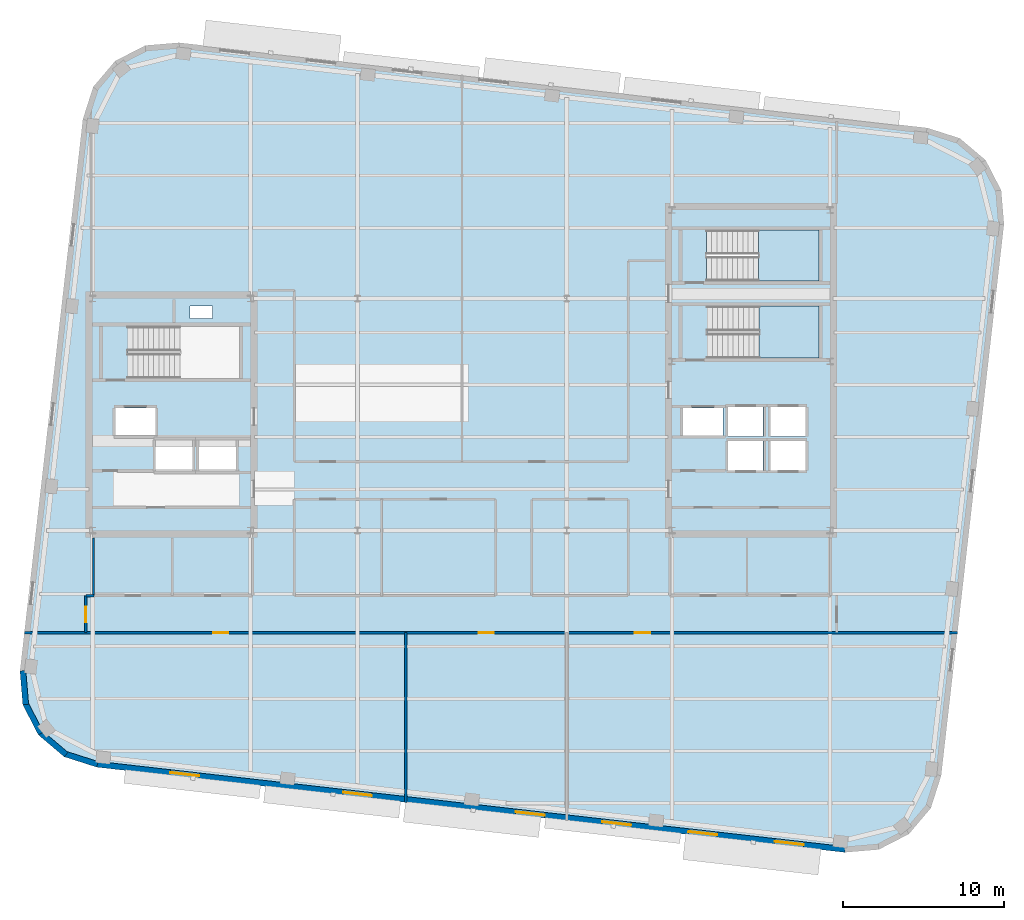
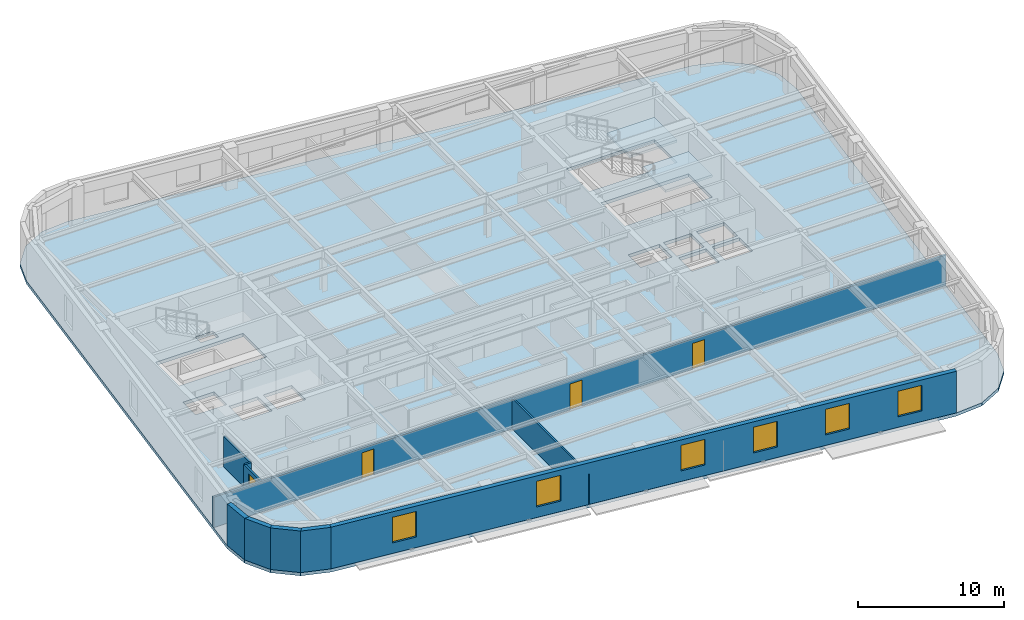
# One storey, part 5 of 13: 10 walls, 6 windows, 4 doors, 3 slabs, 10 openings, 2 elements without a shape of their own.
"""IFC4 building model written with IfcOpenShell, lengths in metres."""

from ifc_helpers import new_model, si_unit, direction, frame, frame_2d, origin, place, context, subcontext, project, spatial, polyline, rectangle, outline, extrude, material, layer, layer_set, type_object, element, fill, aggregate, save


model = new_model("IFC4")

# Units and contexts
model_context = context("Model", 3, precision=1e-05, world=origin(), true_north=direction((0.0, 1.0)))
body_context = subcontext(model_context, "Body", "Model", "MODEL_VIEW")
ifc_project = project(units=[si_unit("LENGTHUNIT", "METRE"), si_unit("AREAUNIT", "SQUARE_METRE"), si_unit("VOLUMEUNIT", "CUBIC_METRE"), si_unit("PLANEANGLEUNIT", "RADIAN"), si_unit("MASSUNIT", "GRAM", prefix="KILO")], contexts=[model_context])

# Site, building, storey
site_placement = place(None, origin())
site = spatial("IfcSite", under=ifc_project, at=site_placement, CompositionType="ELEMENT")
building_placement = place(site_placement, origin())
building = spatial("IfcBuilding", under=site, at=building_placement, Name="Kolvaren Arena Tower", CompositionType="ELEMENT")
storey_placement = place(building_placement, frame((0.0, 0.0, 262.199951171875)))
storey = spatial("IfcBuildingStorey", under=building, at=storey_placement, Name="L64", CompositionType="ELEMENT", Elevation=262.199951171875)

# Stair, slab
ifc_material_1 = material(Name="Concrete 45 MPa", Category="concrete")
stair_type_1 = type_object("IfcStairType", Name="STAIR-CORE-165", PredefinedType="HALF_TURN_STAIR", material=ifc_material_1)
stair_1_placement = place(storey_placement, origin())
stair_1 = element("IfcStair", 1, at=stair_1_placement, inside=storey, type_object=stair_type_1, Name="L64 ST-E1", PredefinedType="HALF_TURN_STAIR")
ifc_layer_1 = layer(ifc_material_1, 0.199951171875)
ifc_layer_set_1 = layer_set([ifc_layer_1], Name="Concrete 45 MPa")
slab_type_1 = type_object("IfcSlabType", Name="SLAB-LAND", PredefinedType="LANDING", material=ifc_layer_set_1)
slab_1_placement = place(storey_placement, frame((0.0, 0.0, 1.675048828125)))
slab_1 = element("IfcSlab", 2, at=slab_1_placement, type_object=slab_type_1, Name="ST-E1 landing 1", PredefinedType="LANDING", context=body_context, shape_type="SweptSolid", body=[
    extrude(outline(polyline([(55.9599609375, 30.14990234375), (59.659912109375, 30.14990234375), (59.659912109375, 33.3798828125), (55.9599609375, 33.3798828125), (55.9599609375, 30.14990234375)])), origin(), (0.0, 0.0, 1.0), 0.199951171875),
])
aggregate(stair_1, [slab_1])

stair_type_2 = type_object("IfcStairType", Name="STAIR-CORE-150", PredefinedType="HALF_TURN_STAIR", material=ifc_material_1)
stair_2_placement = place(storey_placement, origin())
stair_2 = element("IfcStair", 3, at=stair_2_placement, inside=storey, type_object=stair_type_2, Name="L64 ST-E2", PredefinedType="HALF_TURN_STAIR")
slab_2_placement = place(storey_placement, frame((0.0, 0.0, 1.675048828125)))
slab_2 = element("IfcSlab", 4, at=slab_2_placement, type_object=slab_type_1, Name="ST-E2 landing 1", PredefinedType="LANDING", context=body_context, shape_type="SweptSolid", body=[
    extrude(outline(polyline([(55.919921875, 34.949951171875), (59.659912109375, 34.949951171875), (59.659912109375, 38.10009765625), (55.919921875, 38.10009765625), (55.919921875, 34.949951171875)])), origin(), (0.0, 0.0, 1.0), 0.199951171875),
])
aggregate(stair_2, [slab_2])

# Slab
ifc_layer_2 = layer(ifc_material_1, 0.27001953125)
ifc_layer_set_2 = layer_set([ifc_layer_2], Name="Concrete 45 MPa")
slab_type_2 = type_object("IfcSlabType", Name="SLAB-OFF2", PredefinedType="FLOOR", material=ifc_layer_set_2)
slab_3_placement = place(storey_placement, frame((0.0, 0.0, -0.27001953125)))
element("IfcSlab", 5, at=slab_3_placement, inside=storey, type_object=slab_type_2, Name="L64 Primary Structural Slab", PredefinedType="FLOOR", context=body_context, shape_type="SweptSolid", body=[
    extrude(outline(polyline([(61.285400390625, -0.553466796875), (63.38525390625, -0.37890625), (65.25830078125, 0.585693359375), (66.619873046875, 2.194091796875), (67.26220703125, 4.20068359375), (71.16748046875, 38.47900390625), (70.9931640625, 40.57861328125), (70.0283203125, 42.45166015625), (68.42041015625, 43.81298828125), (66.41357421875, 44.455322265625), (19.91455078125, 49.75341796875), (17.814697265625, 49.578857421875), (15.941650390625, 48.6142578125), (14.580078125, 47.006103515625), (13.93798828125, 44.99951171875), (10.032470703125, 10.72119140625), (10.206787109375, 8.621337890625), (11.171630859375, 6.748291015625), (12.77978515625, 5.386962890625), (14.786376953125, 4.74462890625), (61.285400390625, -0.553466796875)]), holes=[polyline([(20.739990234375, 23.135009765625), (18.4599609375, 23.135009765625), (18.4599609375, 25.06494140625), (20.739990234375, 25.06494140625), (20.739990234375, 23.135009765625)]), polyline([(21.159912109375, 23.135009765625), (21.159912109375, 25.06494140625), (23.43994140625, 25.06494140625), (23.43994140625, 23.135009765625), (21.159912109375, 23.135009765625)]), polyline([(56.2099609375, 23.18505859375), (54.030029296875, 23.18505859375), (54.030029296875, 25.014892578125), (56.2099609375, 25.014892578125), (56.2099609375, 23.18505859375)]), polyline([(56.669921875, 23.18505859375), (56.669921875, 25.014892578125), (58.85009765625, 25.014892578125), (58.85009765625, 23.18505859375), (56.669921875, 23.18505859375)]), polyline([(54.030029296875, 25.284912109375), (54.030029296875, 27.114990234375), (56.2099609375, 27.114990234375), (56.2099609375, 25.284912109375), (54.030029296875, 25.284912109375)]), polyline([(58.85009765625, 25.284912109375), (56.669921875, 25.284912109375), (56.669921875, 27.114990234375), (58.85009765625, 27.114990234375), (58.85009765625, 25.284912109375)]), polyline([(15.9599609375, 25.3349609375), (15.9599609375, 27.06494140625), (18.43994140625, 27.06494140625), (18.43994140625, 25.3349609375), (15.9599609375, 25.3349609375)]), polyline([(53.699951171875, 25.3349609375), (51.219970703125, 25.3349609375), (51.219970703125, 27.06494140625), (53.699951171875, 27.06494140625), (53.699951171875, 25.3349609375)]), polyline([(16.735107421875, 28.89990234375), (16.735107421875, 32.1298828125), (23.659912109375, 32.1298828125), (23.659912109375, 28.89990234375), (16.735107421875, 28.89990234375)]), polyline([(52.735107421875, 30.14990234375), (52.735107421875, 33.3798828125), (59.659912109375, 33.3798828125), (59.659912109375, 30.14990234375), (52.735107421875, 30.14990234375)]), polyline([(20.60009765625, 32.6201171875), (20.60009765625, 33.39990234375), (22.0, 33.39990234375), (22.0, 32.6201171875), (20.60009765625, 32.6201171875)]), polyline([(52.695068359375, 34.949951171875), (52.695068359375, 38.10009765625), (59.659912109375, 38.10009765625), (59.659912109375, 34.949951171875), (52.695068359375, 34.949951171875)])]), origin(), (0.0, 0.0, 1.0), 0.27001953125),
])

# Wall, openings, doors
ifc_material_2 = material(Name="Gypsum board acoustic assembly", Category="gypsum")
ifc_layer_3 = layer(ifc_material_2, 0.159912109375)
ifc_layer_set_3 = layer_set([ifc_layer_3], Name="Gypsum board acoustic assembly")
wall_type_1 = type_object("IfcWallType", Name="CORR-160", PredefinedType="PARTITIONING", material=ifc_layer_set_3)
wall_1_placement = place(storey_placement, frame((10.303466796875, 13.10009765625, 0.0), z_axis=(0.0, 0.0, 1.0), x_axis=(1.0, 0.0, 0.0)))
wall_1 = element("IfcWall", 6, at=wall_1_placement, inside=storey, type_object=wall_type_1, Name="Interior Partition Wall (L64)", PredefinedType="PARTITIONING", context=body_context, shape_type="SweptSolid", body=[
    extrude(rectangle(XDim=57.97265625, YDim=0.159912109375, at=frame_2d((28.986328125, 0.0))), origin(), (0.0, 0.0, 1.0), 2.5400390625),
])
opening_1_placement = place(wall_1_placement, frame((11.7216796875, 0.0, 0.0)))
opening_1 = element("IfcOpeningElement", 7, at=opening_1_placement, cuts=wall_1, Name="Opening D05", PredefinedType="OPENING", context=body_context, shape_type="SweptSolid", body=[
    extrude(rectangle(XDim=0.949951171875, YDim=2.14990234375, at=frame_2d((0.47509765625, 1.074951171875))), frame((0.0, 0.08984375, 0.0), z_axis=(0.0, -1.0, 0.0), x_axis=(1.0, 0.0, 0.0)), (0.0, 0.0, 1.0), 0.179931640625),
])
opening_2_placement = place(wall_1_placement, frame((28.2216796875, 0.0, 0.0)))
opening_2 = element("IfcOpeningElement", 8, at=opening_2_placement, cuts=wall_1, Name="Opening D05", PredefinedType="OPENING", context=body_context, shape_type="SweptSolid", body=[
    extrude(rectangle(XDim=0.949951171875, YDim=2.14990234375, at=frame_2d((0.47509765625, 1.074951171875))), frame((0.0, 0.08984375, 0.0), z_axis=(0.0, -1.0, 0.0), x_axis=(1.0, 0.0, 0.0)), (0.0, 0.0, 1.0), 0.179931640625),
])
opening_3_placement = place(wall_1_placement, frame((37.921630859375, 0.0, 0.0)))
opening_3 = element("IfcOpeningElement", 9, at=opening_3_placement, cuts=wall_1, Name="Opening D05", PredefinedType="OPENING", context=body_context, shape_type="SweptSolid", body=[
    extrude(rectangle(XDim=0.949951171875, YDim=2.14990234375, at=frame_2d((0.47509765625, 1.074951171875))), frame((0.0, 0.08984375, 0.0), z_axis=(0.0, -1.0, 0.0), x_axis=(1.0, 0.0, 0.0)), (0.0, 0.0, 1.0), 0.179931640625),
])
ifc_material_3 = material(Name="Solid-core oak acoustic office door", Category="wood")
door_type = type_object("IfcDoorType", Name="DOOR-OF-095", OperationType="NOTDEFINED", PredefinedType="DOOR", material=ifc_material_3)
door_1_placement = place(opening_1_placement, origin())
door_1 = element("IfcDoor", 10, at=door_1_placement, inside=storey, type_object=door_type, Name="Open Plan Office Door (L64)", OperationType="SINGLE_SWING_RIGHT", OverallHeight=2.14990234375, OverallWidth=0.949951171875, PredefinedType="DOOR", context=body_context, shape_type="SweptSolid", body=[
    extrude(rectangle(XDim=0.949951171875, YDim=2.14990234375, at=frame_2d((0.47509765625, 1.074951171875))), frame((0.0, 0.02490234375, 0.0), z_axis=(0.0, -1.0, 0.0), x_axis=(1.0, 0.0, 0.0)), (0.0, 0.0, 1.0), 0.050048828125),
])
fill(opening_1, door_1)
door_2_placement = place(opening_2_placement, origin())
door_2 = element("IfcDoor", 11, at=door_2_placement, inside=storey, type_object=door_type, Name="Design Studio Door (L64)", OperationType="SINGLE_SWING_LEFT", OverallHeight=2.14990234375, OverallWidth=0.949951171875, PredefinedType="DOOR", context=body_context, shape_type="SweptSolid", body=[
    extrude(rectangle(XDim=0.949951171875, YDim=2.14990234375, at=frame_2d((0.47509765625, 1.074951171875))), frame((0.0, 0.02490234375, 0.0), z_axis=(0.0, -1.0, 0.0), x_axis=(1.0, 0.0, 0.0)), (0.0, 0.0, 1.0), 0.050048828125),
])
fill(opening_2, door_2)
door_3_placement = place(opening_3_placement, origin())
door_3 = element("IfcDoor", 12, at=door_3_placement, inside=storey, type_object=door_type, Name="Open Plan Office Door (L64)", OperationType="SINGLE_SWING_RIGHT", OverallHeight=2.14990234375, OverallWidth=0.949951171875, PredefinedType="DOOR", context=body_context, shape_type="SweptSolid", body=[
    extrude(rectangle(XDim=0.949951171875, YDim=2.14990234375, at=frame_2d((0.47509765625, 1.074951171875))), frame((0.0, 0.02490234375, 0.0), z_axis=(0.0, -1.0, 0.0), x_axis=(1.0, 0.0, 0.0)), (0.0, 0.0, 1.0), 0.050048828125),
])
fill(opening_3, door_3)

# Wall, opening, door
wall_2_placement = place(storey_placement, frame((14.1201171875, 13.10009765625, 0.0), z_axis=(0.0, 0.0, 1.0), x_axis=(0.0, 1.0, 0.0)))
wall_2 = element("IfcWall", 13, at=wall_2_placement, inside=storey, type_object=wall_type_1, Name="Interior Partition Wall (L64)", PredefinedType="PARTITIONING", context=body_context, shape_type="SweptSolid", body=[
    extrude(rectangle(XDim=2.2998046875, YDim=0.159912109375, at=frame_2d((1.14990234375, 0.0))), origin(), (0.0, 0.0, 1.0), 2.5400390625),
])
opening_4_placement = place(wall_2_placement, frame((0.64990234375, 0.0, 0.0)))
opening_4 = element("IfcOpeningElement", 14, at=opening_4_placement, cuts=wall_2, Name="Opening D05", PredefinedType="OPENING", context=body_context, shape_type="SweptSolid", body=[
    extrude(rectangle(XDim=0.949951171875, YDim=2.14990234375, at=frame_2d((0.47509765625, 1.074951171875))), frame((0.0, 0.08984375, 0.0), z_axis=(0.0, -1.0, 0.0), x_axis=(1.0, 0.0, 0.0)), (0.0, 0.0, 1.0), 0.179931640625),
])
door_4_placement = place(opening_4_placement, origin())
door_4 = element("IfcDoor", 15, at=door_4_placement, inside=storey, type_object=door_type, Name="West Wing Office Door (L64)", OperationType="SINGLE_SWING_LEFT", OverallHeight=2.14990234375, OverallWidth=0.949951171875, PredefinedType="DOOR", context=body_context, shape_type="SweptSolid", body=[
    extrude(rectangle(XDim=0.949951171875, YDim=2.14990234375, at=frame_2d((0.47509765625, 1.074951171875))), frame((0.0, 0.02490234375, 0.0), z_axis=(0.0, -1.0, 0.0), x_axis=(1.0, 0.0, 0.0)), (0.0, 0.0, 1.0), 0.050048828125),
])
fill(opening_4, door_4)

# Walls
wall_3_placement = place(storey_placement, frame((14.1201171875, 15.39990234375, 0.0), z_axis=(0.0, 0.0, 1.0), x_axis=(1.0, 0.0, 0.0)))
element("IfcWall", 16, at=wall_3_placement, inside=storey, type_object=wall_type_1, Name="Interior Partition Wall (L64)", PredefinedType="PARTITIONING", context=body_context, shape_type="SweptSolid", body=[
    extrude(rectangle(XDim=0.5, YDim=0.159912109375, at=frame_2d((0.25, 0.0))), origin(), (0.0, 0.0, 1.0), 2.5400390625),
])
ifc_material_4 = material(Name="Precast concrete C50/60", Category="concrete")
ifc_layer_4 = layer(ifc_material_4, 0.360107421875)
ifc_layer_set_4 = layer_set([ifc_layer_4], Name="Precast concrete C50/60")
wall_type_2 = type_object("IfcWallType", Name="EXT-PIER2", PredefinedType="SOLIDWALL", material=ifc_layer_set_4)
wall_4_placement = place(storey_placement, frame((10.38623046875, 8.63623046875, 0.0), z_axis=(0.0, 0.0, 1.0), x_axis=(-0.082729038891, 0.996572077737, 0.0)))
element("IfcWall", 17, at=wall_4_placement, inside=storey, type_object=wall_type_2, Name="Exterior Precast Masonry-Frame Wall (L64)", PredefinedType="SOLIDWALL", context=body_context, shape_type="SweptSolid", body=[
    extrude(rectangle(XDim=2.107177734375, YDim=0.360107421875, at=frame_2d((1.0537109375, 0.0))), origin(), (0.0, 0.0, 1.0), 3.47998046875),
])
for number, where, z_axis, x_axis, name in (
    (18, (11.33154296875, 6.830810546875, 0.0), (0.0, 0.0, 1.0), (-0.457934390142, 0.888985992199, 0.0), "Exterior Precast Masonry-Frame Wall (L64)"),
    (19, (12.89599609375, 5.5244140625, 0.0), (0.0, 0.0, 1.0), (-0.763250018691, 0.646103249464, 0.0), "Exterior Precast Masonry-Frame Wall (L64)"),
    (20, (14.84130859375, 4.916015625, 0.0), (0.0, 0.0, 1.0), (-0.952393196904, 0.304872429864, 0.0), "Exterior Precast Masonry-Frame Wall (L64)"),
):
    element("IfcWall", number, at=place(storey_placement, frame(where, z_axis=z_axis, x_axis=x_axis)), inside=storey, type_object=wall_type_2, Name=name, PredefinedType="SOLIDWALL", context=body_context, shape_type="SweptSolid", body=[
        extrude(rectangle(XDim=2.10693359375, YDim=0.360107421875, at=frame_2d((1.053466796875, 0.0))), origin(), (0.0, 0.0, 1.0), 3.47998046875),
    ])

# Wall, openings, windows
wall_5_placement = place(storey_placement, frame((61.305908203125, -0.37451171875, 0.0), z_axis=(0.0, 0.0, 1.0), x_axis=(-0.993571958919, 0.113202307616, 0.0)))
wall_5 = element("IfcWall", 21, at=wall_5_placement, inside=storey, type_object=wall_type_2, Name="Exterior Precast Masonry-Frame Wall (L64)", PredefinedType="SOLIDWALL", context=body_context, shape_type="SweptSolid", body=[
    extrude(rectangle(XDim=46.7998046875, YDim=0.360107421875, at=frame_2d((23.39990234375, 0.0))), origin(), (0.0, 0.0, 1.0), 3.47998046875),
])
opening_5_placement = place(wall_5_placement, frame((2.60009765625, 0.0, 0.8798828125)))
opening_5 = element("IfcOpeningElement", 22, at=opening_5_placement, cuts=wall_5, Name="Opening W02", PredefinedType="OPENING", context=body_context, shape_type="SweptSolid", body=[
    extrude(rectangle(XDim=1.800048828125, YDim=2.14990234375, at=frame_2d((0.89990234375, 1.074951171875))), frame((0.0, 0.18994140625, 0.0), z_axis=(0.0, -1.0, 0.0), x_axis=(1.0, 0.0, 0.0)), (0.0, 0.0, 1.0), 0.380126953125),
])
opening_6_placement = place(wall_5_placement, frame((8.0, 0.0, 0.8798828125)))
opening_6 = element("IfcOpeningElement", 23, at=opening_6_placement, cuts=wall_5, Name="Opening W02", PredefinedType="OPENING", context=body_context, shape_type="SweptSolid", body=[
    extrude(rectangle(XDim=1.800048828125, YDim=2.14990234375, at=frame_2d((0.89990234375, 1.074951171875))), frame((0.0, 0.18994140625, 0.0), z_axis=(0.0, -1.0, 0.0), x_axis=(1.0, 0.0, 0.0)), (0.0, 0.0, 1.0), 0.380126953125),
])
opening_7_placement = place(wall_5_placement, frame((13.39990234375, 0.0, 0.8798828125)))
opening_7 = element("IfcOpeningElement", 24, at=opening_7_placement, cuts=wall_5, Name="Opening W02", PredefinedType="OPENING", context=body_context, shape_type="SweptSolid", body=[
    extrude(rectangle(XDim=1.800048828125, YDim=2.14990234375, at=frame_2d((0.89990234375, 1.074951171875))), frame((0.0, 0.18994140625, 0.0), z_axis=(0.0, -1.0, 0.0), x_axis=(1.0, 0.0, 0.0)), (0.0, 0.0, 1.0), 0.380126953125),
])
opening_8_placement = place(wall_5_placement, frame((18.800048828125, 0.0, 0.8798828125)))
opening_8 = element("IfcOpeningElement", 25, at=opening_8_placement, cuts=wall_5, Name="Opening W02", PredefinedType="OPENING", context=body_context, shape_type="SweptSolid", body=[
    extrude(rectangle(XDim=1.800048828125, YDim=2.14990234375, at=frame_2d((0.89990234375, 1.074951171875))), frame((0.0, 0.18994140625, 0.0), z_axis=(0.0, -1.0, 0.0), x_axis=(1.0, 0.0, 0.0)), (0.0, 0.0, 1.0), 0.380126953125),
])
opening_9_placement = place(wall_5_placement, frame((29.60009765625, 0.0, 0.8798828125)))
opening_9 = element("IfcOpeningElement", 26, at=opening_9_placement, cuts=wall_5, Name="Opening W02", PredefinedType="OPENING", context=body_context, shape_type="SweptSolid", body=[
    extrude(rectangle(XDim=1.800048828125, YDim=2.14990234375, at=frame_2d((0.89990234375, 1.074951171875))), frame((0.0, 0.18994140625, 0.0), z_axis=(0.0, -1.0, 0.0), x_axis=(1.0, 0.0, 0.0)), (0.0, 0.0, 1.0), 0.380126953125),
])
opening_10_placement = place(wall_5_placement, frame((40.39990234375, 0.0, 0.8798828125)))
opening_10 = element("IfcOpeningElement", 27, at=opening_10_placement, cuts=wall_5, Name="Opening W02", PredefinedType="OPENING", context=body_context, shape_type="SweptSolid", body=[
    extrude(rectangle(XDim=1.800048828125, YDim=2.14990234375, at=frame_2d((0.89990234375, 1.074951171875))), frame((0.0, 0.18994140625, 0.0), z_axis=(0.0, -1.0, 0.0), x_axis=(1.0, 0.0, 0.0)), (0.0, 0.0, 1.0), 0.380126953125),
])
ifc_material_5 = material(Name="Triple-glazed low-E aluminium window", Category="aluminium")
window_type = type_object("IfcWindowType", Name="WIN-OFF-B", PartitioningType="DOUBLE_PANEL_VERTICAL", PredefinedType="WINDOW", material=ifc_material_5)
window_1_placement = place(opening_5_placement, origin())
window_1 = element("IfcWindow", 28, at=window_1_placement, inside=storey, type_object=window_type, Name="Punched Precast-Pier Window (L64)", OverallHeight=2.14990234375, OverallWidth=1.800048828125, PartitioningType="DOUBLE_PANEL_VERTICAL", PredefinedType="WINDOW", context=body_context, shape_type="SweptSolid", body=[
    extrude(rectangle(XDim=1.800048828125, YDim=2.14990234375, at=frame_2d((0.89990234375, 1.074951171875))), frame((0.0, 0.030029296875, 0.0), z_axis=(0.0, -1.0, 0.0), x_axis=(1.0, 0.0, 0.0)), (0.0, 0.0, 1.0), 0.06005859375),
])
fill(opening_5, window_1)
window_2_placement = place(opening_6_placement, origin())
window_2 = element("IfcWindow", 29, at=window_2_placement, inside=storey, type_object=window_type, Name="Punched Precast-Pier Window (L64)", OverallHeight=2.14990234375, OverallWidth=1.800048828125, PartitioningType="DOUBLE_PANEL_VERTICAL", PredefinedType="WINDOW", context=body_context, shape_type="SweptSolid", body=[
    extrude(rectangle(XDim=1.800048828125, YDim=2.14990234375, at=frame_2d((0.89990234375, 1.074951171875))), frame((0.0, 0.030029296875, 0.0), z_axis=(0.0, -1.0, 0.0), x_axis=(1.0, 0.0, 0.0)), (0.0, 0.0, 1.0), 0.06005859375),
])
fill(opening_6, window_2)
window_3_placement = place(opening_7_placement, origin())
window_3 = element("IfcWindow", 30, at=window_3_placement, inside=storey, type_object=window_type, Name="Punched Precast-Pier Window (L64)", OverallHeight=2.14990234375, OverallWidth=1.800048828125, PartitioningType="DOUBLE_PANEL_VERTICAL", PredefinedType="WINDOW", context=body_context, shape_type="SweptSolid", body=[
    extrude(rectangle(XDim=1.800048828125, YDim=2.14990234375, at=frame_2d((0.89990234375, 1.074951171875))), frame((0.0, 0.030029296875, 0.0), z_axis=(0.0, -1.0, 0.0), x_axis=(1.0, 0.0, 0.0)), (0.0, 0.0, 1.0), 0.06005859375),
])
fill(opening_7, window_3)
window_4_placement = place(opening_8_placement, origin())
window_4 = element("IfcWindow", 31, at=window_4_placement, inside=storey, type_object=window_type, Name="Punched Precast-Pier Window (L64)", OverallHeight=2.14990234375, OverallWidth=1.800048828125, PartitioningType="DOUBLE_PANEL_VERTICAL", PredefinedType="WINDOW", context=body_context, shape_type="SweptSolid", body=[
    extrude(rectangle(XDim=1.800048828125, YDim=2.14990234375, at=frame_2d((0.89990234375, 1.074951171875))), frame((0.0, 0.030029296875, 0.0), z_axis=(0.0, -1.0, 0.0), x_axis=(1.0, 0.0, 0.0)), (0.0, 0.0, 1.0), 0.06005859375),
])
fill(opening_8, window_4)
window_5_placement = place(opening_9_placement, origin())
window_5 = element("IfcWindow", 32, at=window_5_placement, inside=storey, type_object=window_type, Name="Punched Precast-Pier Window (L64)", OverallHeight=2.14990234375, OverallWidth=1.800048828125, PartitioningType="DOUBLE_PANEL_VERTICAL", PredefinedType="WINDOW", context=body_context, shape_type="SweptSolid", body=[
    extrude(rectangle(XDim=1.800048828125, YDim=2.14990234375, at=frame_2d((0.89990234375, 1.074951171875))), frame((0.0, 0.030029296875, 0.0), z_axis=(0.0, -1.0, 0.0), x_axis=(1.0, 0.0, 0.0)), (0.0, 0.0, 1.0), 0.06005859375),
])
fill(opening_9, window_5)
window_6_placement = place(opening_10_placement, origin())
window_6 = element("IfcWindow", 33, at=window_6_placement, inside=storey, type_object=window_type, Name="Punched Precast-Pier Window (L64)", OverallHeight=2.14990234375, OverallWidth=1.800048828125, PartitioningType="DOUBLE_PANEL_VERTICAL", PredefinedType="WINDOW", context=body_context, shape_type="SweptSolid", body=[
    extrude(rectangle(XDim=1.800048828125, YDim=2.14990234375, at=frame_2d((0.89990234375, 1.074951171875))), frame((0.0, 0.030029296875, 0.0), z_axis=(0.0, -1.0, 0.0), x_axis=(1.0, 0.0, 0.0)), (0.0, 0.0, 1.0), 0.06005859375),
])
fill(opening_10, window_6)

# Walls
ifc_material_6 = material(Name="Gypsum board partition assembly", Category="gypsum")
ifc_layer_5 = layer(ifc_material_6, 0.135009765625)
ifc_layer_set_5 = layer_set([ifc_layer_5], Name="Gypsum board partition assembly")
wall_type_3 = type_object("IfcWallType", Name="PART-135", PredefinedType="PARTITIONING", material=ifc_layer_set_5)
wall_6_placement = place(storey_placement, frame((34.0, 2.555419921875, 0.0), z_axis=(0.0, 0.0, 1.0), x_axis=(0.0, 1.0, 0.0)))
element("IfcWall", 34, at=wall_6_placement, inside=storey, type_object=wall_type_3, Name="Interior Partition Wall (L64)", PredefinedType="PARTITIONING", context=body_context, shape_type="SweptSolid", body=[
    extrude(rectangle(XDim=10.544677734375, YDim=0.135009765625, at=frame_2d((5.2724609375, 0.0))), origin(), (0.0, 0.0, 1.0), 2.5400390625),
])
ifc_material_7 = material(Name="Moisture-resistant gypsum assembly", Category="gypsum")
ifc_layer_6 = layer(ifc_material_7, 0.14990234375)
ifc_layer_set_6 = layer_set([ifc_layer_6], Name="Moisture-resistant gypsum assembly")
wall_type_4 = type_object("IfcWallType", Name="WETW-150", PredefinedType="PARTITIONING", material=ifc_layer_set_6)
wall_7_placement = place(storey_placement, frame((14.60009765625, 15.39990234375, 0.0), z_axis=(0.0, 0.0, 1.0), x_axis=(0.0, 1.0, 0.0)))
element("IfcWall", 35, at=wall_7_placement, inside=storey, type_object=wall_type_4, Name="Interior Partition Wall (L64)", PredefinedType="PARTITIONING", context=body_context, shape_type="SweptSolid", body=[
    extrude(rectangle(XDim=3.580078125, YDim=0.14990234375, at=frame_2d((1.7900390625, 0.0))), origin(), (0.0, 0.0, 1.0), 2.5400390625),
])

save(model, "model.ifc")
